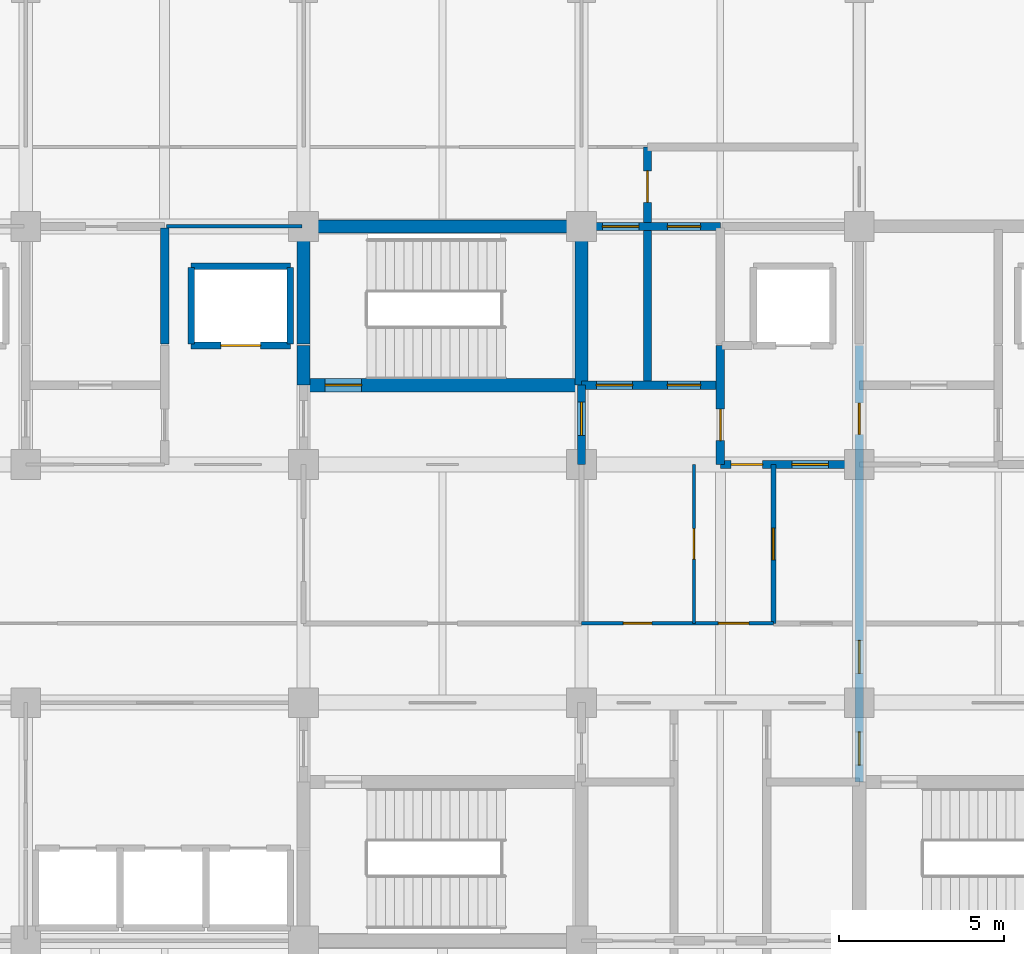
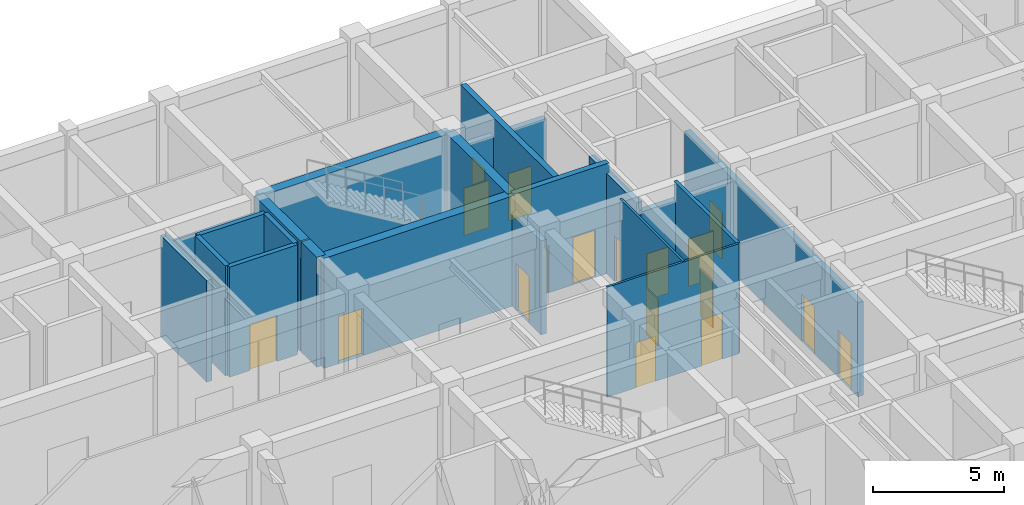
# One storey, part 52 of 73: 21 walls, 18 doors, 18 openings.
"""IFC4 building model written with IfcOpenShell, lengths in metres."""

from ifc_helpers import new_model, si_unit, direction, frame, frame_2d, origin, place, context, subcontext, project, spatial, rectangle, extrude, material, layer, layer_set, type_object, element, fill, save


model = new_model("IFC4")

# Units and contexts
model_context = context("Model", 3, precision=1e-05, world=origin(), true_north=direction((0.0, 1.0)))
body_context = subcontext(model_context, "Body", "Model", "MODEL_VIEW")
ifc_project = project(units=[si_unit("LENGTHUNIT", "METRE"), si_unit("AREAUNIT", "SQUARE_METRE"), si_unit("VOLUMEUNIT", "CUBIC_METRE"), si_unit("PLANEANGLEUNIT", "RADIAN"), si_unit("MASSUNIT", "GRAM", prefix="KILO")], contexts=[model_context])

# Site, building, storey
site_placement = place(None, origin())
site = spatial("IfcSite", under=ifc_project, at=site_placement, CompositionType="ELEMENT")
building_placement = place(site_placement, origin())
building = spatial("IfcBuilding", under=site, at=building_placement, Name="Chengyuan Square Courthouse", CompositionType="ELEMENT")
storey_placement = place(building_placement, origin())
storey = spatial("IfcBuildingStorey", under=building, at=storey_placement, Name="L01", CompositionType="ELEMENT", Elevation=0.0)

# Wall, openings, doors
ifc_material_1 = material(Name="Concrete C40", Category="concrete")
ifc_layer_1 = layer(ifc_material_1, 0.25)
ifc_layer_set_1 = layer_set([ifc_layer_1], Name="Concrete C40")
wall_type_1 = type_object("IfcWallType", Name="WL-FW1", PredefinedType="STANDARD", material=ifc_layer_set_1)
wall_1_placement = place(storey_placement, frame((113.39990234375, 100.800048828125, 0.0), z_axis=(0.0, 0.0, 1.0), x_axis=(1.0, 0.0, 0.0)))
wall_1 = element("IfcWall", 1, at=wall_1_placement, inside=storey, type_object=wall_type_1, Name="Interior Wall WL-L01-I762", PredefinedType="STANDARD", context=body_context, shape_type="SweptSolid", body=[
    extrude(rectangle(XDim=4.2001953125, YDim=0.25, at=frame_2d((2.10009765625, 0.0))), origin(), (0.0, 0.0, 1.0), 4.27001953125),
])
opening_1_placement = place(wall_1_placement, frame((0.324951171875, 0.0, 0.0)))
opening_1 = element("IfcOpeningElement", 2, at=opening_1_placement, cuts=wall_1, Name="Opening DR-754", PredefinedType="OPENING", context=body_context, shape_type="SweptSolid", body=[
    extrude(rectangle(XDim=0.949951171875, YDim=2.14990234375, at=frame_2d((0.47509765625, 1.074951171875))), frame((0.0, 0.136962890625, 0.0), z_axis=(0.0, -1.0, 0.0), x_axis=(1.0, 0.0, 0.0)), (0.0, 0.0, 1.0), 0.27392578125),
])
opening_2_placement = place(wall_1_placement, frame((2.1650390625, 0.0, 0.0)))
opening_2 = element("IfcOpeningElement", 3, at=opening_2_placement, cuts=wall_1, Name="Opening DR-755", PredefinedType="OPENING", context=body_context, shape_type="SweptSolid", body=[
    extrude(rectangle(XDim=1.10009765625, YDim=2.199951171875, at=frame_2d((0.550048828125, 1.10009765625))), frame((0.0, 0.136962890625, 0.0), z_axis=(0.0, -1.0, 0.0), x_axis=(1.0, 0.0, 0.0)), (0.0, 0.0, 1.0), 0.27392578125),
])
ifc_material_2 = material(Name="Steel Q235B Fire Door", Category="steel")
door_type_1 = type_object("IfcDoorType", Name="DT-10", OperationType="NOTDEFINED", PredefinedType="DOOR", material=ifc_material_2)
door_1_placement = place(opening_2_placement, origin())
door_1 = element("IfcDoor", 4, at=door_1_placement, inside=storey, type_object=door_type_1, Name="Interior Door DR-755", OperationType="SINGLE_SWING_LEFT", OverallHeight=2.199951171875, OverallWidth=1.10009765625, PredefinedType="DOOR", context=body_context, shape_type="SweptSolid", body=[
    extrude(rectangle(XDim=1.10009765625, YDim=2.199951171875, at=frame_2d((0.550048828125, 1.10009765625))), frame((0.0, 0.02490234375, 0.0), z_axis=(0.0, -1.0, 0.0), x_axis=(1.0, 0.0, 0.0)), (0.0, 0.0, 1.0), 0.050048828125),
])
fill(opening_2, door_1)
door_type_2 = type_object("IfcDoorType", Name="DT-12", OperationType="NOTDEFINED", PredefinedType="DOOR", material=ifc_material_2)
door_2_placement = place(opening_1_placement, origin())
door_2 = element("IfcDoor", 5, at=door_2_placement, inside=storey, type_object=door_type_2, Name="Interior Door DR-754", OperationType="SINGLE_SWING_RIGHT", OverallHeight=2.14990234375, OverallWidth=0.949951171875, PredefinedType="DOOR", context=body_context, shape_type="SweptSolid", body=[
    extrude(rectangle(XDim=0.949951171875, YDim=2.14990234375, at=frame_2d((0.47509765625, 1.074951171875))), frame((0.0, 0.02490234375, 0.0), z_axis=(0.0, -1.0, 0.0), x_axis=(1.0, 0.0, 0.0)), (0.0, 0.0, 1.0), 0.050048828125),
])
fill(opening_1, door_2)

wall_2_placement = place(storey_placement, frame((109.199951171875, 103.199951171875, 0.0), z_axis=(0.0, 0.0, 1.0), x_axis=(1.0, 0.0, 0.0)))
wall_2 = element("IfcWall", 6, at=wall_2_placement, inside=storey, type_object=wall_type_1, Name="Interior Wall WL-L01-I778", PredefinedType="STANDARD", context=body_context, shape_type="SweptSolid", body=[
    extrude(rectangle(XDim=4.199951171875, YDim=0.25, at=frame_2d((2.10009765625, 0.0))), origin(), (0.0, 0.0, 1.0), 5.1201171875),
])
opening_3_placement = place(wall_2_placement, frame((0.449951171875, 0.0, 0.0)))
opening_3 = element("IfcOpeningElement", 7, at=opening_3_placement, cuts=wall_2, Name="Opening DR-749", PredefinedType="OPENING", context=body_context, shape_type="SweptSolid", body=[
    extrude(rectangle(XDim=1.10009765625, YDim=2.199951171875, at=frame_2d((0.550048828125, 1.10009765625))), frame((0.0, 0.136962890625, 0.0), z_axis=(0.0, -1.0, 0.0), x_axis=(1.0, 0.0, 0.0)), (0.0, 0.0, 1.0), 0.27392578125),
])
opening_4_placement = place(wall_2_placement, frame((2.60009765625, 0.0, 0.0)))
opening_4 = element("IfcOpeningElement", 8, at=opening_4_placement, cuts=wall_2, Name="Opening DR-750", PredefinedType="OPENING", context=body_context, shape_type="SweptSolid", body=[
    extrude(rectangle(XDim=1.0, YDim=2.199951171875, at=frame_2d((0.5, 1.10009765625))), frame((0.0, 0.136962890625, 0.0), z_axis=(0.0, -1.0, 0.0), x_axis=(1.0, 0.0, 0.0)), (0.0, 0.0, 1.0), 0.27392578125),
])
door_3_placement = place(opening_3_placement, origin())
door_3 = element("IfcDoor", 9, at=door_3_placement, inside=storey, type_object=door_type_1, Name="Interior Door DR-749", OperationType="SINGLE_SWING_LEFT", OverallHeight=2.199951171875, OverallWidth=1.10009765625, PredefinedType="DOOR", context=body_context, shape_type="SweptSolid", body=[
    extrude(rectangle(XDim=1.10009765625, YDim=2.199951171875, at=frame_2d((0.550048828125, 1.10009765625))), frame((0.0, 0.02490234375, 0.0), z_axis=(0.0, -1.0, 0.0), x_axis=(1.0, 0.0, 0.0)), (0.0, 0.0, 1.0), 0.050048828125),
])
fill(opening_3, door_3)
door_type_3 = type_object("IfcDoorType", Name="DT-11", OperationType="NOTDEFINED", PredefinedType="DOOR", material=ifc_material_2)
door_4_placement = place(opening_4_placement, origin())
door_4 = element("IfcDoor", 10, at=door_4_placement, inside=storey, type_object=door_type_3, Name="Interior Door DR-750", OperationType="SINGLE_SWING_RIGHT", OverallHeight=2.199951171875, OverallWidth=1.0, PredefinedType="DOOR", context=body_context, shape_type="SweptSolid", body=[
    extrude(rectangle(XDim=1.0, YDim=2.199951171875, at=frame_2d((0.5, 1.10009765625))), frame((0.0, 0.02490234375, 0.0), z_axis=(0.0, -1.0, 0.0), x_axis=(1.0, 0.0, 0.0)), (0.0, 0.0, 1.0), 0.050048828125),
])
fill(opening_4, door_4)

wall_3_placement = place(storey_placement, frame((109.199951171875, 108.0, 0.0), z_axis=(0.0, 0.0, 1.0), x_axis=(1.0, 0.0, 0.0)))
wall_3 = element("IfcWall", 11, at=wall_3_placement, inside=storey, type_object=wall_type_1, Name="Interior Wall WL-L01-I815", PredefinedType="STANDARD", context=body_context, shape_type="SweptSolid", body=[
    extrude(rectangle(XDim=4.199951171875, YDim=0.25, at=frame_2d((2.10009765625, 0.0))), origin(), (0.0, 0.0, 1.0), 4.27001953125),
])
opening_5_placement = place(wall_3_placement, frame((0.635009765625, 0.0, 0.0)))
opening_5 = element("IfcOpeningElement", 12, at=opening_5_placement, cuts=wall_3, Name="Opening DR-752", PredefinedType="OPENING", context=body_context, shape_type="SweptSolid", body=[
    extrude(rectangle(XDim=1.10009765625, YDim=2.199951171875, at=frame_2d((0.550048828125, 1.10009765625))), frame((0.0, 0.136962890625, 0.0), z_axis=(0.0, -1.0, 0.0), x_axis=(1.0, 0.0, 0.0)), (0.0, 0.0, 1.0), 0.27392578125),
])
opening_6_placement = place(wall_3_placement, frame((2.60009765625, 0.0, 0.0)))
opening_6 = element("IfcOpeningElement", 13, at=opening_6_placement, cuts=wall_3, Name="Opening DR-753", PredefinedType="OPENING", context=body_context, shape_type="SweptSolid", body=[
    extrude(rectangle(XDim=1.0, YDim=2.199951171875, at=frame_2d((0.5, 1.10009765625))), frame((0.0, 0.136962890625, 0.0), z_axis=(0.0, -1.0, 0.0), x_axis=(1.0, 0.0, 0.0)), (0.0, 0.0, 1.0), 0.27392578125),
])
door_5_placement = place(opening_5_placement, origin())
door_5 = element("IfcDoor", 14, at=door_5_placement, inside=storey, type_object=door_type_1, Name="Interior Door DR-752", OperationType="SINGLE_SWING_RIGHT", OverallHeight=2.199951171875, OverallWidth=1.10009765625, PredefinedType="DOOR", context=body_context, shape_type="SweptSolid", body=[
    extrude(rectangle(XDim=1.10009765625, YDim=2.199951171875, at=frame_2d((0.550048828125, 1.10009765625))), frame((0.0, 0.02490234375, 0.0), z_axis=(0.0, -1.0, 0.0), x_axis=(1.0, 0.0, 0.0)), (0.0, 0.0, 1.0), 0.050048828125),
])
fill(opening_5, door_5)
door_6_placement = place(opening_6_placement, origin())
door_6 = element("IfcDoor", 15, at=door_6_placement, inside=storey, type_object=door_type_3, Name="Interior Door DR-753", OperationType="SINGLE_SWING_LEFT", OverallHeight=2.199951171875, OverallWidth=1.0, PredefinedType="DOOR", context=body_context, shape_type="SweptSolid", body=[
    extrude(rectangle(XDim=1.0, YDim=2.199951171875, at=frame_2d((0.5, 1.10009765625))), frame((0.0, 0.02490234375, 0.0), z_axis=(0.0, -1.0, 0.0), x_axis=(1.0, 0.0, 0.0)), (0.0, 0.0, 1.0), 0.050048828125),
])
fill(opening_6, door_6)

# Wall
wall_4_placement = place(storey_placement, frame((96.60009765625, 104.449951171875, 0.0), z_axis=(0.0, 0.0, 1.0), x_axis=(0.0, 1.0, 0.0)))
element("IfcWall", 16, at=wall_4_placement, inside=storey, type_object=wall_type_1, Name="Interior Wall WL-L01-I932", PredefinedType="STANDARD", context=body_context, shape_type="SweptSolid", body=[
    extrude(rectangle(XDim=3.5, YDim=0.25, at=frame_2d((1.75, 0.0))), origin(), (0.0, 0.0, 1.0), 4.719970703125),
])

# Wall, opening, door
wall_5_placement = place(storey_placement, frame((109.199951171875, 100.800048828125, 0.0), z_axis=(0.0, 0.0, 1.0), x_axis=(0.0, 1.0, 0.0)))
wall_5 = element("IfcWall", 17, at=wall_5_placement, inside=storey, type_object=wall_type_1, Name="Interior Wall WL-L01-I950", PredefinedType="STANDARD", context=body_context, shape_type="SweptSolid", body=[
    extrude(rectangle(XDim=2.39990234375, YDim=0.25, at=frame_2d((1.199951171875, 0.0))), origin(), (0.0, 0.0, 1.0), 4.3701171875),
])
opening_7_placement = place(wall_5_placement, frame((0.885009765625, 0.0, 0.0)))
opening_7 = element("IfcOpeningElement", 18, at=opening_7_placement, cuts=wall_5, Name="Opening DR-672", PredefinedType="OPENING", context=body_context, shape_type="SweptSolid", body=[
    extrude(rectangle(XDim=1.0, YDim=2.199951171875, at=frame_2d((0.5, 1.10009765625))), frame((0.0, 0.136962890625, 0.0), z_axis=(0.0, -1.0, 0.0), x_axis=(1.0, 0.0, 0.0)), (0.0, 0.0, 1.0), 0.27392578125),
])
door_7_placement = place(opening_7_placement, origin())
door_7 = element("IfcDoor", 19, at=door_7_placement, inside=storey, type_object=door_type_3, Name="Interior Door DR-672", OperationType="SINGLE_SWING_LEFT", OverallHeight=2.199951171875, OverallWidth=1.0, PredefinedType="DOOR", context=body_context, shape_type="SweptSolid", body=[
    extrude(rectangle(XDim=1.0, YDim=2.199951171875, at=frame_2d((0.5, 1.10009765625))), frame((0.0, 0.02490234375, 0.0), z_axis=(0.0, -1.0, 0.0), x_axis=(1.0, 0.0, 0.0)), (0.0, 0.0, 1.0), 0.050048828125),
])
fill(opening_7, door_7)

wall_6_placement = place(storey_placement, frame((111.199951171875, 103.199951171875, 0.0), z_axis=(0.0, 0.0, 1.0), x_axis=(0.0, 1.0, 0.0)))
wall_6 = element("IfcWall", 20, at=wall_6_placement, inside=storey, type_object=wall_type_1, Name="Interior Wall WL-L01-I953", PredefinedType="STANDARD", context=body_context, shape_type="SweptSolid", body=[
    extrude(rectangle(XDim=7.199951171875, YDim=0.25, at=frame_2d((3.60009765625, 0.0))), origin(), (0.0, 0.0, 1.0), 5.1201171875),
])
opening_8_placement = place(wall_6_placement, frame((5.52490234375, 0.0, 0.0)))
opening_8 = element("IfcOpeningElement", 21, at=opening_8_placement, cuts=wall_6, Name="Opening DR-901", PredefinedType="OPENING", context=body_context, shape_type="SweptSolid", body=[
    extrude(rectangle(XDim=0.949951171875, YDim=2.14990234375, at=frame_2d((0.47509765625, 1.074951171875))), frame((0.0, 0.136962890625, 0.0), z_axis=(0.0, -1.0, 0.0), x_axis=(1.0, 0.0, 0.0)), (0.0, 0.0, 1.0), 0.27392578125),
])
door_8_placement = place(opening_8_placement, origin())
door_8 = element("IfcDoor", 22, at=door_8_placement, inside=storey, type_object=door_type_2, Name="Interior Door DR-901", OperationType="SINGLE_SWING_RIGHT", OverallHeight=2.14990234375, OverallWidth=0.949951171875, PredefinedType="DOOR", context=body_context, shape_type="SweptSolid", body=[
    extrude(rectangle(XDim=0.949951171875, YDim=2.14990234375, at=frame_2d((0.47509765625, 1.074951171875))), frame((0.0, 0.02490234375, 0.0), z_axis=(0.0, -1.0, 0.0), x_axis=(1.0, 0.0, 0.0)), (0.0, 0.0, 1.0), 0.050048828125),
])
fill(opening_8, door_8)

wall_7_placement = place(storey_placement, frame((113.39990234375, 100.800048828125, 0.0), z_axis=(0.0, 0.0, 1.0), x_axis=(0.0, 1.0, 0.0)))
wall_7 = element("IfcWall", 23, at=wall_7_placement, inside=storey, type_object=wall_type_1, Name="Interior Wall WL-L01-I956", PredefinedType="STANDARD", context=body_context, shape_type="SweptSolid", body=[
    extrude(rectangle(XDim=3.599853515625, YDim=0.25, at=frame_2d((1.7998046875, 0.0))), origin(), (0.0, 0.0, 1.0), 4.669921875),
])
opening_9_placement = place(wall_7_placement, frame((0.72509765625, 0.0, 0.0)))
opening_9 = element("IfcOpeningElement", 24, at=opening_9_placement, cuts=wall_7, Name="Opening DR-751", PredefinedType="OPENING", context=body_context, shape_type="SweptSolid", body=[
    extrude(rectangle(XDim=0.949951171875, YDim=2.14990234375, at=frame_2d((0.47509765625, 1.074951171875))), frame((0.0, 0.136962890625, 0.0), z_axis=(0.0, -1.0, 0.0), x_axis=(1.0, 0.0, 0.0)), (0.0, 0.0, 1.0), 0.27392578125),
])
door_9_placement = place(opening_9_placement, origin())
door_9 = element("IfcDoor", 25, at=door_9_placement, inside=storey, type_object=door_type_2, Name="Interior Door DR-751", OperationType="SINGLE_SWING_LEFT", OverallHeight=2.14990234375, OverallWidth=0.949951171875, PredefinedType="DOOR", context=body_context, shape_type="SweptSolid", body=[
    extrude(rectangle(XDim=0.949951171875, YDim=2.14990234375, at=frame_2d((0.47509765625, 1.074951171875))), frame((0.0, 0.02490234375, 0.0), z_axis=(0.0, -1.0, 0.0), x_axis=(1.0, 0.0, 0.0)), (0.0, 0.0, 1.0), 0.050048828125),
])
fill(opening_9, door_9)

# Wall, openings, doors
wall_8_placement = place(storey_placement, frame((117.60009765625, 91.199951171875, 0.0), z_axis=(0.0, 0.0, 1.0), x_axis=(0.0, 1.0, 0.0)))
wall_8 = element("IfcWall", 26, at=wall_8_placement, inside=storey, type_object=wall_type_1, Name="Interior Wall WL-L01-I964", PredefinedType="STANDARD", context=body_context, shape_type="SweptSolid", body=[
    extrude(rectangle(XDim=13.199951171875, YDim=0.25, at=frame_2d((6.60009765625, 0.0))), origin(), (0.0, 0.0, 1.0), 4.3701171875),
])
opening_10_placement = place(wall_8_placement, frame((0.514892578125, 0.0, 0.0)))
opening_10 = element("IfcOpeningElement", 27, at=opening_10_placement, cuts=wall_8, Name="Opening DR-684", PredefinedType="OPENING", context=body_context, shape_type="SweptSolid", body=[
    extrude(rectangle(XDim=1.0, YDim=2.199951171875, at=frame_2d((0.5, 1.10009765625))), frame((0.0, 0.136962890625, 0.0), z_axis=(0.0, -1.0, 0.0), x_axis=(1.0, 0.0, 0.0)), (0.0, 0.0, 1.0), 0.27392578125),
])
opening_11_placement = place(wall_8_placement, frame((10.510009765625, 0.0, 0.0)))
opening_11 = element("IfcOpeningElement", 28, at=opening_11_placement, cuts=wall_8, Name="Opening DR-730", PredefinedType="OPENING", context=body_context, shape_type="SweptSolid", body=[
    extrude(rectangle(XDim=0.949951171875, YDim=2.14990234375, at=frame_2d((0.47509765625, 1.074951171875))), frame((0.0, 0.136962890625, 0.0), z_axis=(0.0, -1.0, 0.0), x_axis=(1.0, 0.0, 0.0)), (0.0, 0.0, 1.0), 0.27392578125),
])
opening_12_placement = place(wall_8_placement, frame((3.284912109375, 0.0, 0.0)))
opening_12 = element("IfcOpeningElement", 29, at=opening_12_placement, cuts=wall_8, Name="Opening DR-813", PredefinedType="OPENING", context=body_context, shape_type="SweptSolid", body=[
    extrude(rectangle(XDim=1.0, YDim=2.199951171875, at=frame_2d((0.5, 1.10009765625))), frame((0.0, 0.136962890625, 0.0), z_axis=(0.0, -1.0, 0.0), x_axis=(1.0, 0.0, 0.0)), (0.0, 0.0, 1.0), 0.27392578125),
])
door_10_placement = place(opening_10_placement, origin())
door_10 = element("IfcDoor", 30, at=door_10_placement, inside=storey, type_object=door_type_3, Name="Interior Door DR-684", OperationType="SINGLE_SWING_LEFT", OverallHeight=2.199951171875, OverallWidth=1.0, PredefinedType="DOOR", context=body_context, shape_type="SweptSolid", body=[
    extrude(rectangle(XDim=1.0, YDim=2.199951171875, at=frame_2d((0.5, 1.10009765625))), frame((0.0, 0.02490234375, 0.0), z_axis=(0.0, -1.0, 0.0), x_axis=(1.0, 0.0, 0.0)), (0.0, 0.0, 1.0), 0.050048828125),
])
fill(opening_10, door_10)
door_11_placement = place(opening_12_placement, origin())
door_11 = element("IfcDoor", 31, at=door_11_placement, inside=storey, type_object=door_type_3, Name="Interior Door DR-813", OperationType="SINGLE_SWING_LEFT", OverallHeight=2.199951171875, OverallWidth=1.0, PredefinedType="DOOR", context=body_context, shape_type="SweptSolid", body=[
    extrude(rectangle(XDim=1.0, YDim=2.199951171875, at=frame_2d((0.5, 1.10009765625))), frame((0.0, 0.02490234375, 0.0), z_axis=(0.0, -1.0, 0.0), x_axis=(1.0, 0.0, 0.0)), (0.0, 0.0, 1.0), 0.050048828125),
])
fill(opening_12, door_11)
door_12_placement = place(opening_11_placement, origin())
door_12 = element("IfcDoor", 32, at=door_12_placement, inside=storey, type_object=door_type_2, Name="Interior Door DR-730", OperationType="SINGLE_SWING_LEFT", OverallHeight=2.14990234375, OverallWidth=0.949951171875, PredefinedType="DOOR", context=body_context, shape_type="SweptSolid", body=[
    extrude(rectangle(XDim=0.949951171875, YDim=2.14990234375, at=frame_2d((0.47509765625, 1.074951171875))), frame((0.0, 0.02490234375, 0.0), z_axis=(0.0, -1.0, 0.0), x_axis=(1.0, 0.0, 0.0)), (0.0, 0.0, 1.0), 0.050048828125),
])
fill(opening_11, door_12)

# Wall, opening, door
ifc_material_3 = material(Name="Deliberation Room Sound-Insulated Partition")
ifc_layer_2 = layer(ifc_material_3, 0.14990234375)
ifc_layer_set_2 = layer_set([ifc_layer_2], Name="Deliberation Room Sound-Insulated Partition")
wall_type_2 = type_object("IfcWallType", Name="WL-PT3", PredefinedType="STANDARD", material=ifc_layer_set_2)
wall_9_placement = place(storey_placement, frame((115.0, 96.0, 0.0), z_axis=(0.0, 0.0, 1.0), x_axis=(0.0, 1.0, 0.0)))
wall_9 = element("IfcWall", 33, at=wall_9_placement, inside=storey, type_object=wall_type_2, Name="Interior Wall WL-L01-I960", PredefinedType="STANDARD", context=body_context, shape_type="SweptSolid", body=[
    extrude(rectangle(XDim=4.800048828125, YDim=0.14990234375, at=frame_2d((2.39990234375, 0.0))), origin(), (0.0, 0.0, 1.0), 5.1201171875),
])
opening_13_placement = place(wall_9_placement, frame((1.919921875, 0.0, 0.0)))
opening_13 = element("IfcOpeningElement", 34, at=opening_13_placement, cuts=wall_9, Name="Opening DR-852", PredefinedType="OPENING", context=body_context, shape_type="SweptSolid", body=[
    extrude(rectangle(XDim=0.9599609375, YDim=2.199951171875, at=frame_2d((0.47998046875, 1.10009765625))), frame((0.0, 0.0869140625, 0.0), z_axis=(0.0, -1.0, 0.0), x_axis=(1.0, 0.0, 0.0)), (0.0, 0.0, 1.0), 0.173828125),
])
ifc_material_4 = material(Name="Acoustic Solid-Core Timber Door", Category="wood")
door_type_4 = type_object("IfcDoorType", Name="DT-30", OperationType="NOTDEFINED", PredefinedType="DOOR", material=ifc_material_4)
door_13_placement = place(opening_13_placement, origin())
door_13 = element("IfcDoor", 35, at=door_13_placement, inside=storey, type_object=door_type_4, Name="Interior Door DR-852", OperationType="SINGLE_SWING_LEFT", OverallHeight=2.199951171875, OverallWidth=0.9599609375, PredefinedType="DOOR", context=body_context, shape_type="SweptSolid", body=[
    extrude(rectangle(XDim=0.9599609375, YDim=2.199951171875, at=frame_2d((0.47998046875, 1.10009765625))), frame((0.0, 0.02490234375, 0.0), z_axis=(0.0, -1.0, 0.0), x_axis=(1.0, 0.0, 0.0)), (0.0, 0.0, 1.0), 0.050048828125),
])
fill(opening_13, door_13)

# Wall, openings, doors
ifc_material_5 = material(Name="Gypsum Plasterboard Acoustic Stud Partition")
ifc_layer_3 = layer(ifc_material_5, 0.10009765625)
ifc_layer_set_3 = layer_set([ifc_layer_3], Name="Gypsum Plasterboard Acoustic Stud Partition")
wall_type_3 = type_object("IfcWallType", Name="WL-PT6", PredefinedType="STANDARD", material=ifc_layer_set_3)
wall_10_placement = place(storey_placement, frame((109.199951171875, 96.0, 0.0), z_axis=(0.0, 0.0, 1.0), x_axis=(1.0, 0.0, 0.0)))
wall_10 = element("IfcWall", 36, at=wall_10_placement, inside=storey, type_object=wall_type_3, Name="Interior Wall WL-L01-I743", PredefinedType="STANDARD", context=body_context, shape_type="SweptSolid", body=[
    extrude(rectangle(XDim=5.800048828125, YDim=0.10009765625, at=frame_2d((2.89990234375, 0.0))), origin(), (0.0, 0.0, 1.0), 5.1201171875),
])
opening_14_placement = place(wall_10_placement, frame((1.27001953125, 0.0, 0.0)))
opening_14 = element("IfcOpeningElement", 37, at=opening_14_placement, cuts=wall_10, Name="Opening DR-816", PredefinedType="OPENING", context=body_context, shape_type="SweptSolid", body=[
    extrude(rectangle(XDim=0.860107421875, YDim=2.10009765625, at=frame_2d((0.43017578125, 1.050048828125))), frame((0.0, 0.06201171875, 0.0), z_axis=(0.0, -1.0, 0.0), x_axis=(1.0, 0.0, 0.0)), (0.0, 0.0, 1.0), 0.1240234375),
])
opening_15_placement = place(wall_10_placement, frame((4.139892578125, 0.0, 0.0)))
opening_15 = element("IfcOpeningElement", 38, at=opening_15_placement, cuts=wall_10, Name="Opening DR-817", PredefinedType="OPENING", context=body_context, shape_type="SweptSolid", body=[
    extrude(rectangle(XDim=0.919921875, YDim=2.14990234375, at=frame_2d((0.4599609375, 1.074951171875))), frame((0.0, 0.06201171875, 0.0), z_axis=(0.0, -1.0, 0.0), x_axis=(1.0, 0.0, 0.0)), (0.0, 0.0, 1.0), 0.1240234375),
])
door_type_5 = type_object("IfcDoorType", Name="DT-28", OperationType="NOTDEFINED", PredefinedType="DOOR", material=ifc_material_4)
door_14_placement = place(opening_14_placement, origin())
door_14 = element("IfcDoor", 39, at=door_14_placement, inside=storey, type_object=door_type_5, Name="Interior Door DR-816", OperationType="SINGLE_SWING_LEFT", OverallHeight=2.10009765625, OverallWidth=0.860107421875, PredefinedType="DOOR", context=body_context, shape_type="SweptSolid", body=[
    extrude(rectangle(XDim=0.860107421875, YDim=2.10009765625, at=frame_2d((0.43017578125, 1.050048828125))), frame((0.0, 0.02490234375, 0.0), z_axis=(0.0, -1.0, 0.0), x_axis=(1.0, 0.0, 0.0)), (0.0, 0.0, 1.0), 0.050048828125),
])
fill(opening_14, door_14)
door_type_6 = type_object("IfcDoorType", Name="DT-29", OperationType="NOTDEFINED", PredefinedType="DOOR", material=ifc_material_4)
door_15_placement = place(opening_15_placement, origin())
door_15 = element("IfcDoor", 40, at=door_15_placement, inside=storey, type_object=door_type_6, Name="Interior Door DR-817", OperationType="SINGLE_SWING_RIGHT", OverallHeight=2.14990234375, OverallWidth=0.919921875, PredefinedType="DOOR", context=body_context, shape_type="SweptSolid", body=[
    extrude(rectangle(XDim=0.919921875, YDim=2.14990234375, at=frame_2d((0.4599609375, 1.074951171875))), frame((0.0, 0.02490234375, 0.0), z_axis=(0.0, -1.0, 0.0), x_axis=(1.0, 0.0, 0.0)), (0.0, 0.0, 1.0), 0.050048828125),
])
fill(opening_15, door_15)

# Wall
wall_11_placement = place(storey_placement, frame((96.64990234375, 108.0, 0.0), z_axis=(0.0, 0.0, 1.0), x_axis=(1.0, 0.0, 0.0)))
element("IfcWall", 41, at=wall_11_placement, inside=storey, type_object=wall_type_3, Name="Interior Wall WL-L01-I813", PredefinedType="STANDARD", context=body_context, shape_type="SweptSolid", body=[
    extrude(rectangle(XDim=4.10009765625, YDim=0.10009765625, at=frame_2d((2.050048828125, 0.0))), origin(), (0.0, 0.0, 1.0), 4.27001953125),
])

# Wall, opening, door
wall_12_placement = place(storey_placement, frame((112.60009765625, 96.0, 0.0), z_axis=(0.0, 0.0, 1.0), x_axis=(0.0, 1.0, 0.0)))
wall_12 = element("IfcWall", 42, at=wall_12_placement, inside=storey, type_object=wall_type_3, Name="Interior Wall WL-L01-I955", PredefinedType="STANDARD", context=body_context, shape_type="SweptSolid", body=[
    extrude(rectangle(XDim=4.800048828125, YDim=0.10009765625, at=frame_2d((2.39990234375, 0.0))), origin(), (0.0, 0.0, 1.0), 5.1201171875),
])
opening_16_placement = place(wall_12_placement, frame((1.93994140625, 0.0, 0.0)))
opening_16 = element("IfcOpeningElement", 43, at=opening_16_placement, cuts=wall_12, Name="Opening DR-851", PredefinedType="OPENING", context=body_context, shape_type="SweptSolid", body=[
    extrude(rectangle(XDim=0.919921875, YDim=2.14990234375, at=frame_2d((0.4599609375, 1.074951171875))), frame((0.0, 0.06201171875, 0.0), z_axis=(0.0, -1.0, 0.0), x_axis=(1.0, 0.0, 0.0)), (0.0, 0.0, 1.0), 0.1240234375),
])
door_16_placement = place(opening_16_placement, origin())
door_16 = element("IfcDoor", 44, at=door_16_placement, inside=storey, type_object=door_type_6, Name="Interior Door DR-851", OperationType="SINGLE_SWING_RIGHT", OverallHeight=2.14990234375, OverallWidth=0.919921875, PredefinedType="DOOR", context=body_context, shape_type="SweptSolid", body=[
    extrude(rectangle(XDim=0.919921875, YDim=2.14990234375, at=frame_2d((0.4599609375, 1.074951171875))), frame((0.0, 0.02490234375, 0.0), z_axis=(0.0, -1.0, 0.0), x_axis=(1.0, 0.0, 0.0)), (0.0, 0.0, 1.0), 0.050048828125),
])
fill(opening_16, door_16)

ifc_material_6 = material(Name="Reinforced Masonry Shaft Enclosure", Category="masonry")
ifc_layer_4 = layer(ifc_material_6, 0.199951171875)
ifc_layer_set_4 = layer_set([ifc_layer_4], Name="Reinforced Masonry Shaft Enclosure")
wall_type_4 = type_object("IfcWallType", Name="WL-SH1", PredefinedType="STANDARD", material=ifc_layer_set_4)
wall_13_placement = place(storey_placement, frame((97.39990234375, 104.39990234375, 0.0), z_axis=(0.0, 0.0, 1.0), x_axis=(1.0, 0.0, 0.0)))
wall_13 = element("IfcWall", 45, at=wall_13_placement, inside=storey, type_object=wall_type_4, Name="Interior Wall WL-L01-I790", PredefinedType="STANDARD", context=body_context, shape_type="SweptSolid", body=[
    extrude(rectangle(XDim=3.0, YDim=0.199951171875, at=frame_2d((1.5, 0.0))), origin(), (0.0, 0.0, 1.0), 5.1201171875),
])
opening_17_placement = place(wall_13_placement, frame((0.89990234375, 0.0, 0.0)))
opening_17 = element("IfcOpeningElement", 46, at=opening_17_placement, cuts=wall_13, Name="Opening LD-022", PredefinedType="OPENING", context=body_context, shape_type="SweptSolid", body=[
    extrude(rectangle(XDim=1.199951171875, YDim=2.14990234375, at=frame_2d((0.60009765625, 1.074951171875))), frame((0.0, 0.112060546875, 0.0), z_axis=(0.0, -1.0, 0.0), x_axis=(1.0, 0.0, 0.0)), (0.0, 0.0, 1.0), 0.223876953125),
])
ifc_material_7 = material(Name="Stainless Steel S30408 Lift Landing Door", Category="steel")
door_type_7 = type_object("IfcDoorType", Name="DT-05", OperationType="DOUBLE_DOOR_SLIDING", PredefinedType="DOOR", material=ifc_material_7)
door_17_placement = place(opening_17_placement, origin())
door_17 = element("IfcDoor", 47, at=door_17_placement, inside=storey, type_object=door_type_7, Name="Lift Landing Door LF-F2 L01", OperationType="DOUBLE_DOOR_SLIDING", OverallHeight=2.14990234375, OverallWidth=1.199951171875, PredefinedType="DOOR", context=body_context, shape_type="SweptSolid", body=[
    extrude(rectangle(XDim=1.199951171875, YDim=2.14990234375, at=frame_2d((0.60009765625, 1.074951171875))), frame((0.0, 0.02490234375, 0.0), z_axis=(0.0, -1.0, 0.0), x_axis=(1.0, 0.0, 0.0)), (0.0, 0.0, 1.0), 0.050048828125),
])
fill(opening_17, door_17)

# Walls
wall_14_placement = place(storey_placement, frame((97.39990234375, 106.800048828125, 0.0), z_axis=(0.0, 0.0, 1.0), x_axis=(1.0, 0.0, 0.0)))
element("IfcWall", 48, at=wall_14_placement, inside=storey, type_object=wall_type_4, Name="Interior Wall WL-L01-I801", PredefinedType="STANDARD", context=body_context, shape_type="SweptSolid", body=[
    extrude(rectangle(XDim=3.0, YDim=0.199951171875, at=frame_2d((1.5, 0.0))), origin(), (0.0, 0.0, 1.0), 5.1201171875),
])
for number, where, z_axis, x_axis, name in (
    (49, (97.39990234375, 104.449951171875, 0.0), (0.0, 0.0, 1.0), (0.0, 1.0, 0.0), "Interior Wall WL-L01-I933"),
    (50, (100.39990234375, 104.449951171875, 0.0), (0.0, 0.0, 1.0), (0.0, 1.0, 0.0), "Interior Wall WL-L01-I936"),
):
    element("IfcWall", number, at=place(storey_placement, frame(where, z_axis=z_axis, x_axis=x_axis)), inside=storey, type_object=wall_type_4, Name=name, PredefinedType="STANDARD", context=body_context, shape_type="SweptSolid", body=[
        extrude(rectangle(XDim=2.300048828125, YDim=0.199951171875, at=frame_2d((1.14990234375, 0.0))), origin(), (0.0, 0.0, 1.0), 5.1201171875),
    ])

# Wall, opening, door
ifc_material_8 = material(Name="Concrete C50", Category="concrete")
ifc_layer_5 = layer(ifc_material_8, 0.39990234375)
ifc_layer_set_5 = layer_set([ifc_layer_5], Name="Concrete C50")
wall_type_5 = type_object("IfcWallType", Name="WL-SW1", PredefinedType="SHEAR", material=ifc_layer_set_5)
wall_15_placement = place(storey_placement, frame((100.800048828125, 103.199951171875, 0.0), z_axis=(0.0, 0.0, 1.0), x_axis=(1.0, 0.0, 0.0)))
wall_15 = element("IfcWall", 51, at=wall_15_placement, inside=storey, type_object=wall_type_5, Name="Interior Wall WL-L01-I777", PredefinedType="SHEAR", context=body_context, shape_type="SweptSolid", body=[
    extrude(rectangle(XDim=8.39990234375, YDim=0.39990234375, at=frame_2d((4.199951171875, 0.0))), origin(), (0.0, 0.0, 1.0), 5.1201171875),
])
opening_18_placement = place(wall_15_placement, frame((0.64990234375, 0.0, 0.0)))
opening_18 = element("IfcOpeningElement", 52, at=opening_18_placement, cuts=wall_15, Name="Opening DR-659", PredefinedType="OPENING", context=body_context, shape_type="SweptSolid", body=[
    extrude(rectangle(XDim=1.10009765625, YDim=2.199951171875, at=frame_2d((0.550048828125, 1.10009765625))), frame((0.0, 0.2119140625, 0.0), z_axis=(0.0, -1.0, 0.0), x_axis=(1.0, 0.0, 0.0)), (0.0, 0.0, 1.0), 0.423828125),
])
door_18_placement = place(opening_18_placement, frame((1.10009765625, 0.0, 0.0), z_axis=(0.0, 0.0, 1.0), x_axis=(-1.0, 0.0, 0.0)))
door_18 = element("IfcDoor", 53, at=door_18_placement, inside=storey, type_object=door_type_1, Name="Smoke-Proof Stairwell Fire Door ST-2 DR-659", OperationType="SINGLE_SWING_RIGHT", OverallHeight=2.199951171875, OverallWidth=1.10009765625, PredefinedType="DOOR", context=body_context, shape_type="SweptSolid", body=[
    extrude(rectangle(XDim=1.10009765625, YDim=2.199951171875, at=frame_2d((0.550048828125, 1.10009765625))), frame((0.0, 0.02490234375, 0.0), z_axis=(0.0, -1.0, 0.0), x_axis=(1.0, 0.0, 0.0)), (0.0, 0.0, 1.0), 0.050048828125),
])
fill(opening_18, door_18)

# Walls
wall_16_placement = place(storey_placement, frame((100.800048828125, 108.0, 0.0), z_axis=(0.0, 0.0, 1.0), x_axis=(1.0, 0.0, 0.0)))
element("IfcWall", 54, at=wall_16_placement, inside=storey, type_object=wall_type_5, Name="Interior Wall WL-L01-I814", PredefinedType="SHEAR", context=body_context, shape_type="SweptSolid", body=[
    extrude(rectangle(XDim=8.39990234375, YDim=0.39990234375, at=frame_2d((4.199951171875, 0.0))), origin(), (0.0, 0.0, 1.0), 5.1201171875),
])
wall_17_placement = place(storey_placement, frame((100.800048828125, 103.199951171875, 0.0), z_axis=(0.0, 0.0, 1.0), x_axis=(0.0, 1.0, 0.0)))
element("IfcWall", 55, at=wall_17_placement, inside=storey, type_object=wall_type_5, Name="Interior Wall WL-L01-I943", PredefinedType="SHEAR", context=body_context, shape_type="SweptSolid", body=[
    extrude(rectangle(XDim=1.199951171875, YDim=0.39990234375, at=frame_2d((0.60009765625, 0.0))), origin(), (0.0, 0.0, 1.0), 5.1201171875),
])
wall_18_placement = place(storey_placement, frame((100.800048828125, 104.449951171875, 0.0), z_axis=(0.0, 0.0, 1.0), x_axis=(0.0, 1.0, 0.0)))
element("IfcWall", 56, at=wall_18_placement, inside=storey, type_object=wall_type_5, Name="Interior Wall WL-L01-I944", PredefinedType="SHEAR", context=body_context, shape_type="SweptSolid", body=[
    extrude(rectangle(XDim=3.5, YDim=0.39990234375, at=frame_2d((1.75, 0.0))), origin(), (0.0, 0.0, 1.0), 5.1201171875),
])
wall_19_placement = place(storey_placement, frame((109.199951171875, 103.199951171875, 0.0), z_axis=(0.0, 0.0, 1.0), x_axis=(0.0, 1.0, 0.0)))
element("IfcWall", 57, at=wall_19_placement, inside=storey, type_object=wall_type_5, Name="Interior Wall WL-L01-I951", PredefinedType="SHEAR", context=body_context, shape_type="SweptSolid", body=[
    extrude(rectangle(XDim=4.800048828125, YDim=0.39990234375, at=frame_2d((2.39990234375, 0.0))), origin(), (0.0, 0.0, 1.0), 5.1201171875),
])

save(model, "model.ifc")
